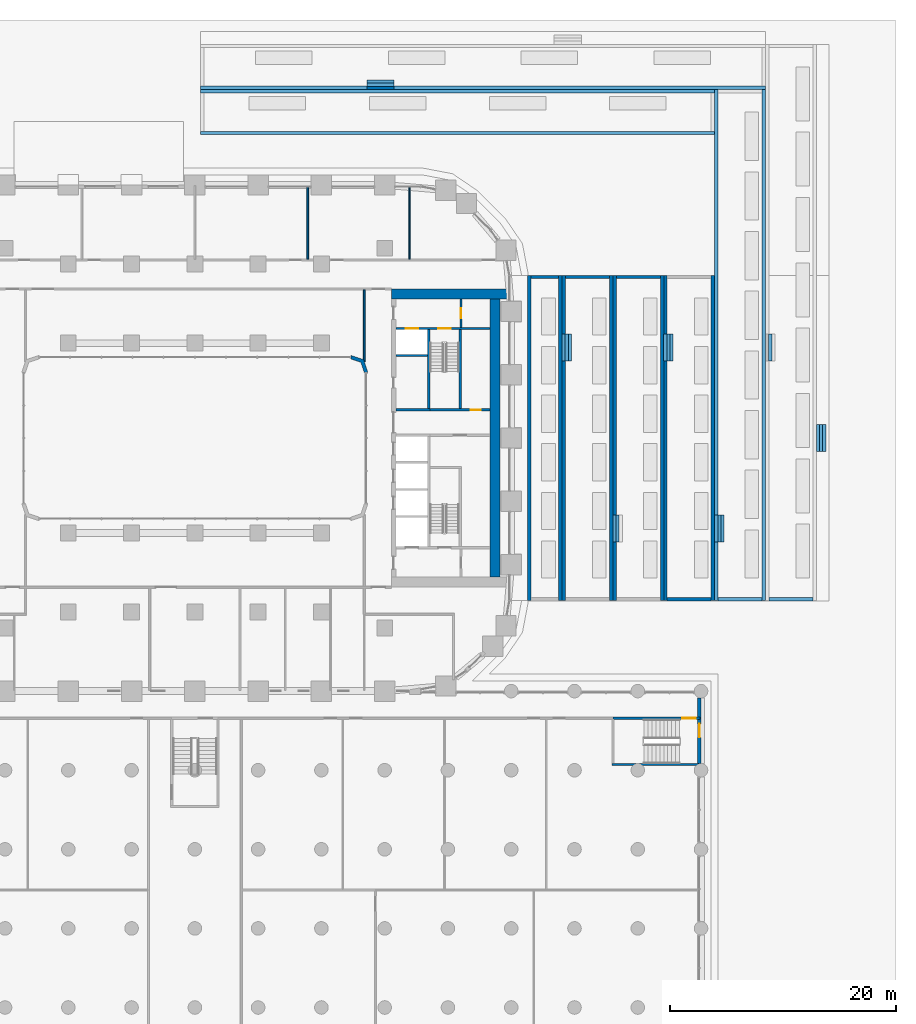
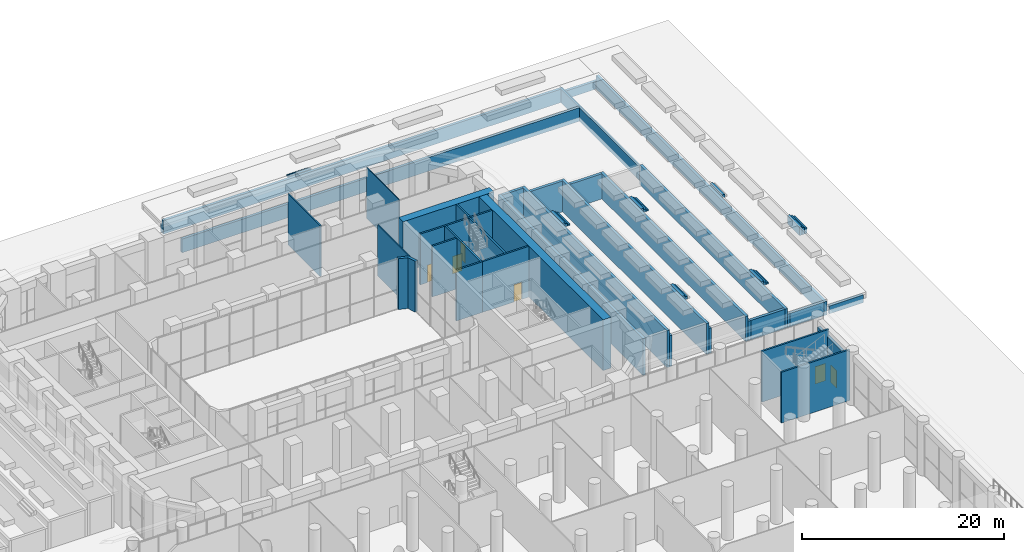
# One storey, part 38 of 51: 53 walls, 6 doors, 6 openings.
"""IFC4 building model written with IfcOpenShell, lengths in metres."""

from ifc_helpers import new_model, si_unit, direction, frame, frame_2d, origin, place, context, subcontext, project, spatial, polyline, rectangle, outline, extrude, material, layer, layer_set, type_object, element, fill, save


model = new_model("IFC4")

# Units and contexts
model_context = context("Model", 3, precision=1e-05, world=origin(), true_north=direction((0.0, 1.0)))
body_context = subcontext(model_context, "Body", "Model", "MODEL_VIEW")
ifc_project = project(units=[si_unit("LENGTHUNIT", "METRE"), si_unit("AREAUNIT", "SQUARE_METRE"), si_unit("VOLUMEUNIT", "CUBIC_METRE"), si_unit("PLANEANGLEUNIT", "RADIAN"), si_unit("MASSUNIT", "GRAM", prefix="KILO")], contexts=[model_context])

# Site, building, storey
site_placement = place(None, origin())
site = spatial("IfcSite", under=ifc_project, at=site_placement, CompositionType="ELEMENT")
building_placement = place(site_placement, origin())
building = spatial("IfcBuilding", under=site, at=building_placement, Name="Kiln Ring Residences", CompositionType="ELEMENT")
storey_placement = place(building_placement, origin())
storey = spatial("IfcBuildingStorey", under=building, at=storey_placement, Name="L00", CompositionType="ELEMENT", Elevation=0.0)

# Wall, opening, door
ifc_material_1 = material(Name="Gypsum board on steel studs", Category="steel")
ifc_layer_1 = layer(ifc_material_1, 0.199951171875)
ifc_layer_set_1 = layer_set([ifc_layer_1], Name="CORE-PARTITION-200")
wall_type_1 = type_object("IfcWallType", Name="CORE-PARTITION-200", PredefinedType="PARTITIONING", material=ifc_layer_set_1)
wall_1_placement = place(storey_placement, frame((23.550048828125, 9.800048828125, 0.0), z_axis=(0.0, 0.0, 1.0), x_axis=(0.0, 1.0, 0.0)))
wall_1 = element("IfcWall", 1, at=wall_1_placement, inside=storey, type_object=wall_type_1, Name="Core partition east L00 2", PredefinedType="PARTITIONING", context=body_context, shape_type="SweptSolid", body=[
    extrude(rectangle(XDim=2.5, YDim=0.199951171875, at=frame_2d((1.25, 0.0))), origin(), (0.0, 0.0, 1.0), 6.14990234375),
])
opening_1_placement = place(wall_1_placement, frame((0.800048828125, 0.0, 0.0)))
opening_1 = element("IfcOpeningElement", 2, at=opening_1_placement, cuts=wall_1, Name="Opening L00-CE09", PredefinedType="OPENING", context=body_context, shape_type="SweptSolid", body=[
    extrude(rectangle(XDim=0.89990234375, YDim=2.10009765625, at=frame_2d((0.449951171875, 1.050048828125))), frame((0.0, 0.10986328125, 0.0), z_axis=(0.0, -1.0, 0.0), x_axis=(1.0, 0.0, 0.0)), (0.0, 0.0, 1.0), 0.219970703125),
])
ifc_material_2 = material(Name="Steel door leaf", Category="steel")
door_type_1 = type_object("IfcDoorType", Name="CORE-DOOR-ROOM", OperationType="SINGLE_SWING_LEFT", PredefinedType="DOOR", material=ifc_material_2)
door_1_placement = place(opening_1_placement, origin())
door_1 = element("IfcDoor", 3, at=door_1_placement, inside=storey, type_object=door_type_1, Name="Fire riser room L00-CE09", OperationType="SINGLE_SWING_RIGHT", OverallHeight=2.10009765625, OverallWidth=0.89990234375, PredefinedType="DOOR", context=body_context, shape_type="SweptSolid", body=[
    extrude(rectangle(XDim=0.89990234375, YDim=2.10009765625, at=frame_2d((0.449951171875, 1.050048828125))), frame((0.0, 0.02490234375, 0.0), z_axis=(0.0, -1.0, 0.0), x_axis=(1.0, 0.0, 0.0)), (0.0, 0.0, 1.0), 0.050048828125),
])
fill(opening_1, door_1)

# Walls
ifc_material_3 = material(Name="Gypsum shaft wall system")
ifc_layer_2 = layer(ifc_material_3, 0.199951171875)
ifc_layer_set_2 = layer_set([ifc_layer_2], Name="CORE-SHAFT-WALL-200")
wall_type_2 = type_object("IfcWallType", Name="CORE-SHAFT-WALL-200", PredefinedType="PARTITIONING", material=ifc_layer_set_2)
wall_2_placement = place(storey_placement, frame((17.800048828125, 2.5, 0.0), z_axis=(0.0, 0.0, 1.0), x_axis=(1.0, 0.0, 0.0)))
element("IfcWall", 4, at=wall_2_placement, inside=storey, type_object=wall_type_2, Name="Core partition east L00 8", PredefinedType="PARTITIONING", context=body_context, shape_type="SweptSolid", body=[
    extrude(rectangle(XDim=3.0, YDim=0.199951171875, at=frame_2d((1.5, 0.0))), origin(), (0.0, 0.0, 1.0), 6.14990234375),
])
wall_3_placement = place(storey_placement, frame((17.800048828125, 7.300048828125, 0.0), z_axis=(0.0, 0.0, 1.0), x_axis=(1.0, 0.0, 0.0)))
element("IfcWall", 5, at=wall_3_placement, inside=storey, type_object=wall_type_2, Name="Core partition east L00 9", PredefinedType="PARTITIONING", context=body_context, shape_type="SweptSolid", body=[
    extrude(rectangle(XDim=2.800048828125, YDim=0.199951171875, at=frame_2d((1.39990234375, 0.0))), origin(), (0.0, 0.0, 1.0), 6.14990234375),
])
ifc_material_4 = material(Name="Concrete C40/50", Category="concrete")
ifc_layer_3 = layer(ifc_material_4, 0.199951171875)
ifc_layer_set_3 = layer_set([ifc_layer_3], Name="CORE-WALL-RC200")
wall_type_3 = type_object("IfcWallType", Name="CORE-WALL-RC200", PredefinedType="SHEAR", material=ifc_layer_set_3)
wall_4_placement = place(storey_placement, frame((20.699951171875, 2.60009765625, 0.0), z_axis=(0.0, 0.0, 1.0), x_axis=(0.0, 1.0, 0.0)))
element("IfcWall", 6, at=wall_4_placement, inside=storey, type_object=wall_type_3, Name="Core wall east L00 1", PredefinedType="SHEAR", context=body_context, shape_type="SweptSolid", body=[
    extrude(rectangle(XDim=7.0, YDim=0.199951171875, at=frame_2d((3.5, 0.0))), origin(), (0.0, 0.0, 1.0), 6.14990234375),
])

# Wall, opening, door
wall_5_placement = place(storey_placement, frame((20.800048828125, 2.5, 0.0), z_axis=(0.0, 0.0, 1.0), x_axis=(1.0, 0.0, 0.0)))
wall_5 = element("IfcWall", 7, at=wall_5_placement, inside=storey, type_object=wall_type_3, Name="Core wall east L00 3", PredefinedType="SHEAR", context=body_context, shape_type="SweptSolid", body=[
    extrude(rectangle(XDim=5.300048828125, YDim=0.199951171875, at=frame_2d((2.64990234375, 0.0))), origin(), (0.0, 0.0, 1.0), 6.14990234375),
])
opening_2_placement = place(wall_5_placement, frame((3.60009765625, 0.0, 0.0)))
opening_2 = element("IfcOpeningElement", 8, at=opening_2_placement, cuts=wall_5, Name="Opening L00-CE15", PredefinedType="OPENING", context=body_context, shape_type="SweptSolid", body=[
    extrude(rectangle(XDim=0.89990234375, YDim=2.10009765625, at=frame_2d((0.449951171875, 1.050048828125))), frame((0.0, 0.10986328125, 0.0), z_axis=(0.0, -1.0, 0.0), x_axis=(1.0, 0.0, 0.0)), (0.0, 0.0, 1.0), 0.219970703125),
])
door_2_placement = place(opening_2_placement, origin())
door_2 = element("IfcDoor", 9, at=door_2_placement, inside=storey, type_object=door_type_1, Name="Electrical plant room L00-CE15", OperationType="SINGLE_SWING_LEFT", OverallHeight=2.10009765625, OverallWidth=0.89990234375, PredefinedType="DOOR", context=body_context, shape_type="SweptSolid", body=[
    extrude(rectangle(XDim=0.89990234375, YDim=2.10009765625, at=frame_2d((0.449951171875, 1.050048828125))), frame((0.0, 0.02490234375, 0.0), z_axis=(0.0, -1.0, 0.0), x_axis=(1.0, 0.0, 0.0)), (0.0, 0.0, 1.0), 0.050048828125),
])
fill(opening_2, door_2)

# Wall, openings, doors
wall_6_placement = place(storey_placement, frame((17.800048828125, 9.699951171875, 0.0), z_axis=(0.0, 0.0, 1.0), x_axis=(1.0, 0.0, 0.0)))
wall_6 = element("IfcWall", 10, at=wall_6_placement, inside=storey, type_object=wall_type_3, Name="Core wall east L00 9", PredefinedType="SHEAR", context=body_context, shape_type="SweptSolid", body=[
    extrude(rectangle(XDim=8.300048828125, YDim=0.199951171875, at=frame_2d((4.14990234375, 0.0))), origin(), (0.0, 0.0, 1.0), 6.14990234375),
])
opening_3_placement = place(wall_6_placement, frame((0.85009765625, 0.0, 0.0)))
opening_3 = element("IfcOpeningElement", 11, at=opening_3_placement, cuts=wall_6, Name="Opening L00-CE06", PredefinedType="OPENING", context=body_context, shape_type="SweptSolid", body=[
    extrude(rectangle(XDim=1.10009765625, YDim=2.10009765625, at=frame_2d((0.550048828125, 1.050048828125))), frame((0.0, 0.10986328125, 0.0), z_axis=(0.0, -1.0, 0.0), x_axis=(1.0, 0.0, 0.0)), (0.0, 0.0, 1.0), 0.219970703125),
])
opening_4_placement = place(wall_6_placement, frame((3.75, 0.0, 0.0)))
opening_4 = element("IfcOpeningElement", 12, at=opening_4_placement, cuts=wall_6, Name="Opening L00-CE11", PredefinedType="OPENING", context=body_context, shape_type="SweptSolid", body=[
    extrude(rectangle(XDim=1.10009765625, YDim=2.10009765625, at=frame_2d((0.550048828125, 1.050048828125))), frame((0.0, 0.10986328125, 0.0), z_axis=(0.0, -1.0, 0.0), x_axis=(1.0, 0.0, 0.0)), (0.0, 0.0, 1.0), 0.219970703125),
])
ifc_material_5 = material(Name="Steel door leaf", Category="steel")
door_type_2 = type_object("IfcDoorType", Name="CORE-DOOR-LD", OperationType="DOUBLE_DOOR_SLIDING", PredefinedType="DOOR", material=ifc_material_5)
door_3_placement = place(opening_3_placement, origin())
door_3 = element("IfcDoor", 13, at=door_3_placement, inside=storey, type_object=door_type_2, Name="LD E-FF L00-CE06", OperationType="DOUBLE_DOOR_SLIDING", OverallHeight=2.10009765625, OverallWidth=1.10009765625, PredefinedType="DOOR", context=body_context, shape_type="SweptSolid", body=[
    extrude(rectangle(XDim=1.10009765625, YDim=2.10009765625, at=frame_2d((0.550048828125, 1.050048828125))), frame((0.0, 0.02490234375, 0.0), z_axis=(0.0, -1.0, 0.0), x_axis=(1.0, 0.0, 0.0)), (0.0, 0.0, 1.0), 0.050048828125),
])
fill(opening_3, door_3)
ifc_material_6 = material(Name="Steel door leaf", Category="steel")
door_type_3 = type_object("IfcDoorType", Name="CORE-DOOR-STAIR", OperationType="SINGLE_SWING_LEFT", PredefinedType="DOOR", material=ifc_material_6)
door_4_placement = place(opening_4_placement, origin())
door_4 = element("IfcDoor", 14, at=door_4_placement, inside=storey, type_object=door_type_3, Name="Stair E-STN L00-CE11", OperationType="SINGLE_SWING_RIGHT", OverallHeight=2.10009765625, OverallWidth=1.10009765625, PredefinedType="DOOR", context=body_context, shape_type="SweptSolid", body=[
    extrude(rectangle(XDim=1.10009765625, YDim=2.10009765625, at=frame_2d((0.550048828125, 1.050048828125))), frame((0.0, 0.02490234375, 0.0), z_axis=(0.0, -1.0, 0.0), x_axis=(1.0, 0.0, 0.0)), (0.0, 0.0, 1.0), 0.050048828125),
])
fill(opening_4, door_4)

# Walls
wall_7_placement = place(storey_placement, frame((23.5, 2.60009765625, 0.0), z_axis=(0.0, 0.0, 1.0), x_axis=(0.0, 1.0, 0.0)))
element("IfcWall", 15, at=wall_7_placement, inside=storey, type_object=wall_type_3, Name="Core wall east L00 10", PredefinedType="SHEAR", context=body_context, shape_type="SweptSolid", body=[
    extrude(rectangle(XDim=7.0, YDim=0.199951171875, at=frame_2d((3.5, 0.0))), origin(), (0.0, 0.0, 1.0), 6.14990234375),
])
ifc_material_7 = material(Name="Concrete C60/75", Category="concrete")
ifc_layer_4 = layer(ifc_material_7, 0.89990234375)
ifc_layer_set_4 = layer_set([ifc_layer_4], Name="CORE-WALL-RC900")
wall_type_4 = type_object("IfcWallType", Name="CORE-WALL-RC900", PredefinedType="SHEAR", material=ifc_layer_set_4)
wall_8_placement = place(storey_placement, frame((17.39990234375, 12.75, 0.0), z_axis=(0.0, 0.0, 1.0), x_axis=(1.0, 0.0, 0.0)))
element("IfcWall", 16, at=wall_8_placement, inside=storey, type_object=wall_type_4, Name="Core wall east L00 4", PredefinedType="SHEAR", context=body_context, shape_type="SweptSolid", body=[
    extrude(rectangle(XDim=10.400146484375, YDim=0.89990234375, at=frame_2d((5.2001953125, 0.0))), origin(), (0.0, 0.0, 1.0), 6.14990234375),
])
wall_9_placement = place(storey_placement, frame((26.550048828125, -12.300048828125, 0.0), z_axis=(0.0, 0.0, 1.0), x_axis=(0.0, 1.0, 0.0)))
element("IfcWall", 17, at=wall_9_placement, inside=storey, type_object=wall_type_4, Name="Core wall east L00 7", PredefinedType="SHEAR", context=body_context, shape_type="SweptSolid", body=[
    extrude(rectangle(XDim=24.60009765625, YDim=0.89990234375, at=frame_2d((12.300048828125, 0.0))), origin(), (0.0, 0.0, 1.0), 6.14990234375),
])

# Wall, opening, door
ifc_material_8 = material(Name="Brick masonry, dark clay brick", Category="masonry")
ifc_layer_5 = layer(ifc_material_8, 0.300048828125)
ifc_layer_set_5 = layer_set([ifc_layer_5], Name="EW-300 BRICK WALL")
wall_type_5 = type_object("IfcWallType", Name="EW-300 BRICK WALL", PredefinedType="SOLIDWALL", material=ifc_layer_set_5)
wall_10_placement = place(storey_placement, frame((44.64990234375, -23.0, 0.0), z_axis=(0.0, 0.0, 1.0), x_axis=(0.0, -1.0, 0.0)))
wall_10 = element("IfcWall", 18, at=wall_10_placement, inside=storey, type_object=wall_type_5, Name="Facade wall L00 1", PredefinedType="SOLIDWALL", context=body_context, shape_type="SweptSolid", body=[
    extrude(rectangle(XDim=5.800048828125, YDim=0.300048828125, at=frame_2d((2.89990234375, 0.0))), origin(), (0.0, 0.0, 1.0), 5.35009765625),
])
opening_5_placement = place(wall_10_placement, frame((2.300048828125, 0.0, 0.0)))
opening_5 = element("IfcOpeningElement", 19, at=opening_5_placement, cuts=wall_10, Name="Opening EL00-1", PredefinedType="OPENING", context=body_context, shape_type="SweptSolid", body=[
    extrude(rectangle(XDim=1.199951171875, YDim=2.10009765625, at=frame_2d((0.60009765625, 1.050048828125))), frame((0.0, 0.159912109375, 0.0), z_axis=(0.0, -1.0, 0.0), x_axis=(1.0, 0.0, 0.0)), (0.0, 0.0, 1.0), 0.320068359375),
])
ifc_material_9 = material(Name="Steel, galvanised", Category="steel")
door_type_4 = type_object("IfcDoorType", Name="EXIT DOOR 1200 x 2100", OperationType="SINGLE_SWING_LEFT", PredefinedType="DOOR", material=ifc_material_9)
door_5_placement = place(opening_5_placement, origin())
door_5 = element("IfcDoor", 20, at=door_5_placement, inside=storey, type_object=door_type_4, Name="Exit door EL00-1", OperationType="SINGLE_SWING_LEFT", OverallHeight=2.10009765625, OverallWidth=1.199951171875, PredefinedType="DOOR", context=body_context, shape_type="SweptSolid", body=[
    extrude(rectangle(XDim=1.199951171875, YDim=2.10009765625, at=frame_2d((0.60009765625, 1.050048828125))), frame((0.0, 0.02490234375, 0.0), z_axis=(0.0, -1.0, 0.0), x_axis=(1.0, 0.0, 0.0)), (0.0, 0.0, 1.0), 0.050048828125),
])
fill(opening_5, door_5)

# Walls
wall_11_placement = place(storey_placement, origin())
element("IfcWall", 21, at=wall_11_placement, inside=storey, type_object=wall_type_5, Name="Corner wall L00 4", PredefinedType="SOLIDWALL", context=body_context, shape_type="SweptSolid", body=[
    extrude(outline(polyline([(14.937255859375, 6.937255859375), (13.8486328125, 7.300048828125), (13.800048828125, 7.300048828125), (13.800048828125, 7.0), (14.699951171875, 6.699951171875), (15.0, 5.800048828125), (15.300048828125, 5.800048828125), (15.300048828125, 5.8486328125), (14.937255859375, 6.937255859375)])), origin(), (0.0, 0.0, 1.0), 6.14990234375),
])
ifc_material_10 = material(Name="Gypsum board on steel studs", Category="steel")
ifc_layer_6 = layer(ifc_material_10, 0.10009765625)
ifc_layer_set_6 = layer_set([ifc_layer_6], Name="PARTITION-100")
wall_type_6 = type_object("IfcWallType", Name="PARTITION-100", PredefinedType="PARTITIONING", material=ifc_layer_set_6)
wall_12_placement = place(storey_placement, frame((19.0, 15.824951171875, 0.0), z_axis=(0.0, 0.0, 1.0), x_axis=(0.0, 1.0, 0.0)))
element("IfcWall", 22, at=wall_12_placement, inside=storey, type_object=wall_type_6, Name="Partition 045", PredefinedType="PARTITIONING", context=body_context, shape_type="SweptSolid", body=[
    extrude(rectangle(XDim=6.39306640625, YDim=0.10009765625, at=frame_2d((3.196533203125, 0.0))), origin(), (0.0, 0.0, 1.0), 6.14990234375),
])
ifc_material_11 = material(Name="Brick masonry partition", Category="masonry")
ifc_layer_7 = layer(ifc_material_11, 0.14990234375)
ifc_layer_set_7 = layer_set([ifc_layer_7], Name="PARTITION-150-ei60")
wall_type_7 = type_object("IfcWallType", Name="PARTITION-150-ei60", PredefinedType="PARTITIONING", material=ifc_layer_set_7)
wall_13_placement = place(storey_placement, frame((10.0, 15.824951171875, 0.0), z_axis=(0.0, 0.0, 1.0), x_axis=(0.0, 1.0, 0.0)))
element("IfcWall", 23, at=wall_13_placement, inside=storey, type_object=wall_type_7, Name="Partition 037", PredefinedType="PARTITIONING", context=body_context, shape_type="SweptSolid", body=[
    extrude(rectangle(XDim=6.39306640625, YDim=0.14990234375, at=frame_2d((3.196533203125, 0.0))), origin(), (0.0, 0.0, 1.0), 6.14990234375),
])
wall_14_placement = place(storey_placement, frame((15.0, 6.768798828125, 0.0), z_axis=(0.0, 0.0, 1.0), x_axis=(0.0, 1.0, 0.0)))
element("IfcWall", 24, at=wall_14_placement, inside=storey, type_object=wall_type_7, Name="Partition 043", PredefinedType="PARTITIONING", context=body_context, shape_type="SweptSolid", body=[
    extrude(rectangle(XDim=6.356201171875, YDim=0.14990234375, at=frame_2d((3.17822265625, 0.0))), origin(), (0.0, 0.0, 1.0), 6.14990234375),
])
ifc_material_12 = material(Name="Concrete C40/50", Category="concrete")
ifc_layer_8 = layer(ifc_material_12, 0.199951171875)
ifc_layer_set_8 = layer_set([ifc_layer_8], Name="PODIUM-STAIR-WALL-200")
wall_type_8 = type_object("IfcWallType", Name="PODIUM-STAIR-WALL-200", PredefinedType="SHEAR", material=ifc_layer_set_8)
wall_15_placement = place(storey_placement, frame((36.89990234375, -28.89990234375, 0.0), z_axis=(0.0, 0.0, 1.0), x_axis=(1.0, 0.0, 0.0)))
element("IfcWall", 25, at=wall_15_placement, inside=storey, type_object=wall_type_8, Name="Stair wall 006", PredefinedType="SHEAR", context=body_context, shape_type="SweptSolid", body=[
    extrude(rectangle(XDim=7.81005859375, YDim=0.199951171875, at=frame_2d((3.905029296875, 0.0))), origin(), (0.0, 0.0, 1.0), 6.14990234375),
])

# Wall, opening, door
wall_16_placement = place(storey_placement, frame((37.0, -24.800048828125, 0.0), z_axis=(0.0, 0.0, 1.0), x_axis=(1.0, 0.0, 0.0)))
wall_16 = element("IfcWall", 26, at=wall_16_placement, inside=storey, type_object=wall_type_8, Name="Stair wall 011", PredefinedType="SHEAR", context=body_context, shape_type="SweptSolid", body=[
    extrude(rectangle(XDim=7.7099609375, YDim=0.199951171875, at=frame_2d((3.85498046875, 0.0))), origin(), (0.0, 0.0, 1.0), 6.14990234375),
])
opening_6_placement = place(wall_16_placement, frame((6.14990234375, 0.0, 0.0)))
opening_6 = element("IfcOpeningElement", 27, at=opening_6_placement, cuts=wall_16, Name="Opening L00-D007", PredefinedType="OPENING", context=body_context, shape_type="SweptSolid", body=[
    extrude(rectangle(XDim=1.199951171875, YDim=2.10009765625, at=frame_2d((0.60009765625, 1.050048828125))), frame((0.0, 0.10986328125, 0.0), z_axis=(0.0, -1.0, 0.0), x_axis=(1.0, 0.0, 0.0)), (0.0, 0.0, 1.0), 0.219970703125),
])
ifc_material_13 = material(Name="Steel faced fire door leaf", Category="steel")
door_type_5 = type_object("IfcDoorType", Name="FLAT-DOOR-1200-FR", OperationType="SINGLE_SWING_LEFT", PredefinedType="DOOR", material=ifc_material_13)
door_6_placement = place(opening_6_placement, origin())
door_6 = element("IfcDoor", 28, at=door_6_placement, inside=storey, type_object=door_type_5, Name="Door L00-D007", OperationType="SINGLE_SWING_RIGHT", OverallHeight=2.10009765625, OverallWidth=1.199951171875, PredefinedType="DOOR", context=body_context, shape_type="SweptSolid", body=[
    extrude(rectangle(XDim=1.199951171875, YDim=2.10009765625, at=frame_2d((0.60009765625, 1.050048828125))), frame((0.0, 0.02490234375, 0.0), z_axis=(0.0, -1.0, 0.0), x_axis=(1.0, 0.0, 0.0)), (0.0, 0.0, 1.0), 0.050048828125),
])
fill(opening_6, door_6)

# Walls
ifc_material_14 = material(Name="Concrete C35/45", Category="concrete")
ifc_layer_9 = layer(ifc_material_14, 0.300048828125)
ifc_layer_set_9 = layer_set([ifc_layer_9], Name="TERRACE RETAINING WALL 300")
wall_type_9 = type_object("IfcWallType", Name="TERRACE RETAINING WALL 300", PredefinedType="SOLIDWALL", material=ifc_layer_set_9)
for number, where, z_axis, x_axis, name in (
    (29, (29.60009765625, -14.39990234375, -0.5), (0.0, 0.0, 1.0), (0.0, 1.0, 0.0), "Terrace retaining wall E1 in"),
    (30, (32.35009765625, -14.39990234375, -0.5), (0.0, 0.0, 1.0), (0.0, 1.0, 0.0), "Terrace retaining wall E1 out"),
):
    element("IfcWall", number, at=place(storey_placement, frame(where, z_axis=z_axis, x_axis=x_axis)), inside=storey, type_object=wall_type_9, Name=name, PredefinedType="SOLIDWALL", context=body_context, shape_type="SweptSolid", body=[
        extrude(rectangle(XDim=28.7998046875, YDim=0.300048828125, at=frame_2d((14.39990234375, 0.0))), origin(), (0.0, 0.0, 1.0), 4.449951171875),
    ])
wall_17_placement = place(storey_placement, frame((29.75, 14.25, -0.5), z_axis=(0.0, 0.0, 1.0), x_axis=(1.0, 0.0, 0.0)))
element("IfcWall", 31, at=wall_17_placement, inside=storey, type_object=wall_type_9, Name="Terrace end wall E1 n", PredefinedType="SOLIDWALL", context=body_context, shape_type="SweptSolid", body=[
    extrude(rectangle(XDim=2.449951171875, YDim=0.300048828125, at=frame_2d((1.22509765625, 0.0))), origin(), (0.0, 0.0, 1.0), 4.449951171875),
])
for number, where, z_axis, x_axis, name in (
    (32, (32.64990234375, -14.39990234375, -0.5), (0.0, 0.0, 1.0), (0.0, 1.0, 0.0), "Terrace retaining wall E2 in"),
    (33, (36.85009765625, -14.39990234375, -0.5), (0.0, 0.0, 1.0), (0.0, 1.0, 0.0), "Terrace retaining wall E2 out"),
):
    element("IfcWall", number, at=place(storey_placement, frame(where, z_axis=z_axis, x_axis=x_axis)), inside=storey, type_object=wall_type_9, Name=name, PredefinedType="SOLIDWALL", context=body_context, shape_type="SweptSolid", body=[
        extrude(rectangle(XDim=28.7998046875, YDim=0.300048828125, at=frame_2d((14.39990234375, 0.0))), origin(), (0.0, 0.0, 1.0), 3.75),
    ])
wall_18_placement = place(storey_placement, frame((32.800048828125, 14.25, -0.5), z_axis=(0.0, 0.0, 1.0), x_axis=(1.0, 0.0, 0.0)))
element("IfcWall", 34, at=wall_18_placement, inside=storey, type_object=wall_type_9, Name="Terrace end wall E2 n", PredefinedType="SOLIDWALL", context=body_context, shape_type="SweptSolid", body=[
    extrude(rectangle(XDim=3.89990234375, YDim=0.300048828125, at=frame_2d((1.949951171875, 0.0))), origin(), (0.0, 0.0, 1.0), 3.75),
])
for number, where, z_axis, x_axis, name in (
    (35, (37.14990234375, -14.39990234375, -0.5), (0.0, 0.0, 1.0), (0.0, 1.0, 0.0), "Terrace retaining wall E3 in"),
    (36, (41.35009765625, -14.39990234375, -0.5), (0.0, 0.0, 1.0), (0.0, 1.0, 0.0), "Terrace retaining wall E3 out"),
):
    element("IfcWall", number, at=place(storey_placement, frame(where, z_axis=z_axis, x_axis=x_axis)), inside=storey, type_object=wall_type_9, Name=name, PredefinedType="SOLIDWALL", context=body_context, shape_type="SweptSolid", body=[
        extrude(rectangle(XDim=28.7998046875, YDim=0.300048828125, at=frame_2d((14.39990234375, 0.0))), origin(), (0.0, 0.0, 1.0), 3.050048828125),
    ])
wall_19_placement = place(storey_placement, frame((37.300048828125, 14.25, -0.5), z_axis=(0.0, 0.0, 1.0), x_axis=(1.0, 0.0, 0.0)))
element("IfcWall", 37, at=wall_19_placement, inside=storey, type_object=wall_type_9, Name="Terrace end wall E3 n", PredefinedType="SOLIDWALL", context=body_context, shape_type="SweptSolid", body=[
    extrude(rectangle(XDim=3.89990234375, YDim=0.300048828125, at=frame_2d((1.949951171875, 0.0))), origin(), (0.0, 0.0, 1.0), 3.050048828125),
])
for number, where, z_axis, x_axis, name in (
    (38, (41.64990234375, -14.39990234375, -0.5), (0.0, 0.0, 1.0), (0.0, 1.0, 0.0), "Terrace retaining wall E4 in"),
    (39, (45.85009765625, -14.39990234375, -0.5), (0.0, 0.0, 1.0), (0.0, 1.0, 0.0), "Terrace retaining wall E4 out"),
):
    element("IfcWall", number, at=place(storey_placement, frame(where, z_axis=z_axis, x_axis=x_axis)), inside=storey, type_object=wall_type_9, Name=name, PredefinedType="SOLIDWALL", context=body_context, shape_type="SweptSolid", body=[
        extrude(rectangle(XDim=28.7998046875, YDim=0.300048828125, at=frame_2d((14.39990234375, 0.0))), origin(), (0.0, 0.0, 1.0), 2.35009765625),
    ])
wall_20_placement = place(storey_placement, frame((41.800048828125, -14.25, -0.5), z_axis=(0.0, 0.0, 1.0), x_axis=(1.0, 0.0, 0.0)))
element("IfcWall", 40, at=wall_20_placement, inside=storey, type_object=wall_type_9, Name="Terrace end wall E4 s", PredefinedType="SOLIDWALL", context=body_context, shape_type="SweptSolid", body=[
    extrude(rectangle(XDim=3.89990234375, YDim=0.300048828125, at=frame_2d((1.949951171875, 0.0))), origin(), (0.0, 0.0, 1.0), 2.35009765625),
])
for number, where, z_axis, x_axis, name in (
    (41, (46.14990234375, -14.39990234375, -0.5), (0.0, 0.0, 1.0), (0.0, 1.0, 0.0), "Terrace retaining wall E5 in"),
    (42, (50.35009765625, -14.39990234375, -0.5), (0.0, 0.0, 1.0), (0.0, 1.0, 0.0), "Terrace retaining wall E5 out"),
):
    element("IfcWall", number, at=place(storey_placement, frame(where, z_axis=z_axis, x_axis=x_axis)), inside=storey, type_object=wall_type_9, Name=name, PredefinedType="SOLIDWALL", context=body_context, shape_type="SweptSolid", body=[
        extrude(rectangle(XDim=45.25, YDim=0.300048828125, at=frame_2d((22.625, 0.0))), origin(), (0.0, 0.0, 1.0), 1.64990234375),
    ])
wall_21_placement = place(storey_placement, frame((46.300048828125, -14.25, -0.5), z_axis=(0.0, 0.0, 1.0), x_axis=(1.0, 0.0, 0.0)))
element("IfcWall", 43, at=wall_21_placement, inside=storey, type_object=wall_type_9, Name="Terrace end wall E5 s", PredefinedType="SOLIDWALL", context=body_context, shape_type="SweptSolid", body=[
    extrude(rectangle(XDim=3.89990234375, YDim=0.300048828125, at=frame_2d((1.949951171875, 0.0))), origin(), (0.0, 0.0, 1.0), 1.64990234375),
])
wall_22_placement = place(storey_placement, frame((50.800048828125, -14.25, -0.5), z_axis=(0.0, 0.0, 1.0), x_axis=(1.0, 0.0, 0.0)))
element("IfcWall", 44, at=wall_22_placement, inside=storey, type_object=wall_type_9, Name="Terrace end wall E6 s", PredefinedType="SOLIDWALL", context=body_context, shape_type="SweptSolid", body=[
    extrude(rectangle(XDim=3.89990234375, YDim=0.300048828125, at=frame_2d((1.949951171875, 0.0))), origin(), (0.0, 0.0, 1.0), 0.949951171875),
])
for number, where, z_axis, x_axis, name in (
    (45, (0.5, 27.0, -0.5), (0.0, 0.0, 1.0), (1.0, 0.0, 0.0), "Terrace retaining wall N1E in"),
    (46, (0.5, 30.699951171875, -0.5), (0.0, 0.0, 1.0), (1.0, 0.0, 0.0), "Terrace retaining wall N1E out"),
):
    element("IfcWall", number, at=place(storey_placement, frame(where, z_axis=z_axis, x_axis=x_axis)), inside=storey, type_object=wall_type_9, Name=name, PredefinedType="SOLIDWALL", context=body_context, shape_type="SweptSolid", body=[
        extrude(rectangle(XDim=45.5, YDim=0.300048828125, at=frame_2d((22.75, 0.0))), origin(), (0.0, 0.0, 1.0), 1.64990234375),
    ])
wall_23_placement = place(storey_placement, frame((0.5, 31.0, -0.5), z_axis=(0.0, 0.0, 1.0), x_axis=(1.0, 0.0, 0.0)))
element("IfcWall", 47, at=wall_23_placement, inside=storey, type_object=wall_type_9, Name="Terrace retaining wall N2E in", PredefinedType="SOLIDWALL", context=body_context, shape_type="SweptSolid", body=[
    extrude(rectangle(XDim=50.0, YDim=0.300048828125, at=frame_2d((25.0, 0.0))), origin(), (0.0, 0.0, 1.0), 0.949951171875),
])
ifc_material_15 = material(Name="Concrete C35/45", Category="concrete")
ifc_layer_10 = layer(ifc_material_15, 0.280029296875)
ifc_layer_set_10 = layer_set([ifc_layer_10], Name="TERRACE STEP 280")
wall_type_10 = type_object("IfcWallType", Name="TERRACE STEP 280", PredefinedType="SOLIDWALL", material=ifc_layer_set_10)
wall_24_placement = place(storey_placement, frame((33.199951171875, 6.800048828125, 3.5), z_axis=(0.0, 0.0, 1.0), x_axis=(0.0, 1.0, 0.0)))
element("IfcWall", 48, at=wall_24_placement, inside=storey, type_object=wall_type_10, Name="Terrace step E1-1", PredefinedType="SOLIDWALL", context=body_context, shape_type="SweptSolid", body=[
    extrude(rectangle(XDim=2.39990234375, YDim=0.280029296875, at=frame_2d((1.199951171875, 0.0))), origin(), (0.0, 0.0, 1.0), 0.175048828125),
])
wall_25_placement = place(storey_placement, frame((32.919921875, 6.800048828125, 3.5), z_axis=(0.0, 0.0, 1.0), x_axis=(0.0, 1.0, 0.0)))
element("IfcWall", 49, at=wall_25_placement, inside=storey, type_object=wall_type_10, Name="Terrace step E1-2", PredefinedType="SOLIDWALL", context=body_context, shape_type="SweptSolid", body=[
    extrude(rectangle(XDim=2.39990234375, YDim=0.280029296875, at=frame_2d((1.199951171875, 0.0))), origin(), (0.0, 0.0, 1.0), 0.35009765625),
])
wall_26_placement = place(storey_placement, frame((32.639892578125, 6.800048828125, 3.5), z_axis=(0.0, 0.0, 1.0), x_axis=(0.0, 1.0, 0.0)))
element("IfcWall", 50, at=wall_26_placement, inside=storey, type_object=wall_type_10, Name="Terrace step E1-3", PredefinedType="SOLIDWALL", context=body_context, shape_type="SweptSolid", body=[
    extrude(rectangle(XDim=2.39990234375, YDim=0.280029296875, at=frame_2d((1.199951171875, 0.0))), origin(), (0.0, 0.0, 1.0), 0.52490234375),
])
wall_27_placement = place(storey_placement, frame((37.419921875, -9.199951171875, 2.800048828125), z_axis=(0.0, 0.0, 1.0), x_axis=(0.0, 1.0, 0.0)))
element("IfcWall", 51, at=wall_27_placement, inside=storey, type_object=wall_type_10, Name="Terrace step E2-2", PredefinedType="SOLIDWALL", context=body_context, shape_type="SweptSolid", body=[
    extrude(rectangle(XDim=2.39990234375, YDim=0.280029296875, at=frame_2d((1.199951171875, 0.0))), origin(), (0.0, 0.0, 1.0), 0.349853515625),
])
wall_28_placement = place(storey_placement, frame((37.139892578125, -9.199951171875, 2.800048828125), z_axis=(0.0, 0.0, 1.0), x_axis=(0.0, 1.0, 0.0)))
element("IfcWall", 52, at=wall_28_placement, inside=storey, type_object=wall_type_10, Name="Terrace step E2-3", PredefinedType="SOLIDWALL", context=body_context, shape_type="SweptSolid", body=[
    extrude(rectangle(XDim=2.39990234375, YDim=0.280029296875, at=frame_2d((1.199951171875, 0.0))), origin(), (0.0, 0.0, 1.0), 0.52490234375),
])
wall_29_placement = place(storey_placement, frame((42.199951171875, 6.800048828125, 2.10009765625), z_axis=(0.0, 0.0, 1.0), x_axis=(0.0, 1.0, 0.0)))
element("IfcWall", 53, at=wall_29_placement, inside=storey, type_object=wall_type_10, Name="Terrace step E3-1", PredefinedType="SOLIDWALL", context=body_context, shape_type="SweptSolid", body=[
    extrude(rectangle(XDim=2.39990234375, YDim=0.280029296875, at=frame_2d((1.199951171875, 0.0))), origin(), (0.0, 0.0, 1.0), 0.1748046875),
])
wall_30_placement = place(storey_placement, frame((41.919921875, 6.800048828125, 2.10009765625), z_axis=(0.0, 0.0, 1.0), x_axis=(0.0, 1.0, 0.0)))
element("IfcWall", 54, at=wall_30_placement, inside=storey, type_object=wall_type_10, Name="Terrace step E3-2", PredefinedType="SOLIDWALL", context=body_context, shape_type="SweptSolid", body=[
    extrude(rectangle(XDim=2.39990234375, YDim=0.280029296875, at=frame_2d((1.199951171875, 0.0))), origin(), (0.0, 0.0, 1.0), 0.349853515625),
])
wall_31_placement = place(storey_placement, frame((41.639892578125, 6.800048828125, 2.10009765625), z_axis=(0.0, 0.0, 1.0), x_axis=(0.0, 1.0, 0.0)))
element("IfcWall", 55, at=wall_31_placement, inside=storey, type_object=wall_type_10, Name="Terrace step E3-3", PredefinedType="SOLIDWALL", context=body_context, shape_type="SweptSolid", body=[
    extrude(rectangle(XDim=2.39990234375, YDim=0.280029296875, at=frame_2d((1.199951171875, 0.0))), origin(), (0.0, 0.0, 1.0), 0.52490234375),
])
wall_32_placement = place(storey_placement, frame((46.699951171875, -9.199951171875, 1.39990234375), z_axis=(0.0, 0.0, 1.0), x_axis=(0.0, 1.0, 0.0)))
element("IfcWall", 56, at=wall_32_placement, inside=storey, type_object=wall_type_10, Name="Terrace step E4-1", PredefinedType="SOLIDWALL", context=body_context, shape_type="SweptSolid", body=[
    extrude(rectangle(XDim=2.39990234375, YDim=0.280029296875, at=frame_2d((1.199951171875, 0.0))), origin(), (0.0, 0.0, 1.0), 0.175048828125),
])
wall_33_placement = place(storey_placement, frame((46.419921875, -9.199951171875, 1.39990234375), z_axis=(0.0, 0.0, 1.0), x_axis=(0.0, 1.0, 0.0)))
element("IfcWall", 57, at=wall_33_placement, inside=storey, type_object=wall_type_10, Name="Terrace step E4-2", PredefinedType="SOLIDWALL", context=body_context, shape_type="SweptSolid", body=[
    extrude(rectangle(XDim=2.39990234375, YDim=0.280029296875, at=frame_2d((1.199951171875, 0.0))), origin(), (0.0, 0.0, 1.0), 0.35009765625),
])
wall_34_placement = place(storey_placement, frame((46.139892578125, -9.199951171875, 1.39990234375), z_axis=(0.0, 0.0, 1.0), x_axis=(0.0, 1.0, 0.0)))
element("IfcWall", 58, at=wall_34_placement, inside=storey, type_object=wall_type_10, Name="Terrace step E4-3", PredefinedType="SOLIDWALL", context=body_context, shape_type="SweptSolid", body=[
    extrude(rectangle(XDim=2.39990234375, YDim=0.280029296875, at=frame_2d((1.199951171875, 0.0))), origin(), (0.0, 0.0, 1.0), 0.525146484375),
])
wall_35_placement = place(storey_placement, frame((50.919921875, 6.800048828125, 0.699951171875), z_axis=(0.0, 0.0, 1.0), x_axis=(0.0, 1.0, 0.0)))
element("IfcWall", 59, at=wall_35_placement, inside=storey, type_object=wall_type_10, Name="Terrace step E5-2", PredefinedType="SOLIDWALL", context=body_context, shape_type="SweptSolid", body=[
    extrude(rectangle(XDim=2.39990234375, YDim=0.280029296875, at=frame_2d((1.199951171875, 0.0))), origin(), (0.0, 0.0, 1.0), 0.35009765625),
])
wall_36_placement = place(storey_placement, frame((55.699951171875, -1.199951171875, -0.5), z_axis=(0.0, 0.0, 1.0), x_axis=(0.0, 1.0, 0.0)))
element("IfcWall", 60, at=wall_36_placement, inside=storey, type_object=wall_type_10, Name="Terrace step E6-1", PredefinedType="SOLIDWALL", context=body_context, shape_type="SweptSolid", body=[
    extrude(rectangle(XDim=2.39990234375, YDim=0.280029296875, at=frame_2d((1.199951171875, 0.0))), origin(), (0.0, 0.0, 1.0), 0.675048828125),
])
wall_37_placement = place(storey_placement, frame((55.419921875, -1.199951171875, -0.5), z_axis=(0.0, 0.0, 1.0), x_axis=(0.0, 1.0, 0.0)))
element("IfcWall", 61, at=wall_37_placement, inside=storey, type_object=wall_type_10, Name="Terrace step E6-2", PredefinedType="SOLIDWALL", context=body_context, shape_type="SweptSolid", body=[
    extrude(rectangle(XDim=2.39990234375, YDim=0.280029296875, at=frame_2d((1.199951171875, 0.0))), origin(), (0.0, 0.0, 1.0), 0.85009765625),
])
wall_38_placement = place(storey_placement, frame((55.139892578125, -1.199951171875, -0.5), z_axis=(0.0, 0.0, 1.0), x_axis=(0.0, 1.0, 0.0)))
element("IfcWall", 62, at=wall_38_placement, inside=storey, type_object=wall_type_10, Name="Terrace step E6-3", PredefinedType="SOLIDWALL", context=body_context, shape_type="SweptSolid", body=[
    extrude(rectangle(XDim=2.39990234375, YDim=0.280029296875, at=frame_2d((1.199951171875, 0.0))), origin(), (0.0, 0.0, 1.0), 1.02490234375),
])
wall_39_placement = place(storey_placement, frame((15.22509765625, 31.550048828125, 0.699951171875), z_axis=(0.0, 0.0, 1.0), x_axis=(1.0, 0.0, 0.0)))
element("IfcWall", 63, at=wall_39_placement, inside=storey, type_object=wall_type_10, Name="Terrace step N1E-1", PredefinedType="SOLIDWALL", context=body_context, shape_type="SweptSolid", body=[
    extrude(rectangle(XDim=2.39990234375, YDim=0.280029296875, at=frame_2d((1.199951171875, 0.0))), origin(), (0.0, 0.0, 1.0), 0.175048828125),
])
wall_40_placement = place(storey_placement, frame((15.22509765625, 31.27001953125, 0.699951171875), z_axis=(0.0, 0.0, 1.0), x_axis=(1.0, 0.0, 0.0)))
element("IfcWall", 64, at=wall_40_placement, inside=storey, type_object=wall_type_10, Name="Terrace step N1E-2", PredefinedType="SOLIDWALL", context=body_context, shape_type="SweptSolid", body=[
    extrude(rectangle(XDim=2.39990234375, YDim=0.280029296875, at=frame_2d((1.199951171875, 0.0))), origin(), (0.0, 0.0, 1.0), 0.35009765625),
])
wall_41_placement = place(storey_placement, frame((15.22509765625, 30.989990234375, 0.699951171875), z_axis=(0.0, 0.0, 1.0), x_axis=(1.0, 0.0, 0.0)))
element("IfcWall", 65, at=wall_41_placement, inside=storey, type_object=wall_type_10, Name="Terrace step N1E-3", PredefinedType="SOLIDWALL", context=body_context, shape_type="SweptSolid", body=[
    extrude(rectangle(XDim=2.39990234375, YDim=0.280029296875, at=frame_2d((1.199951171875, 0.0))), origin(), (0.0, 0.0, 1.0), 0.525146484375),
])

save(model, "model.ifc")
